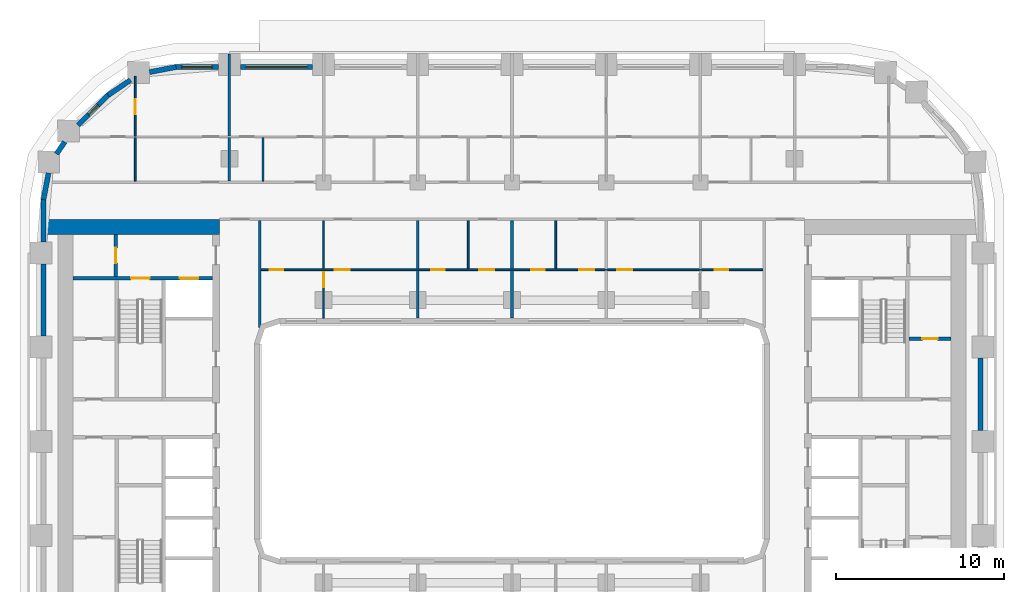
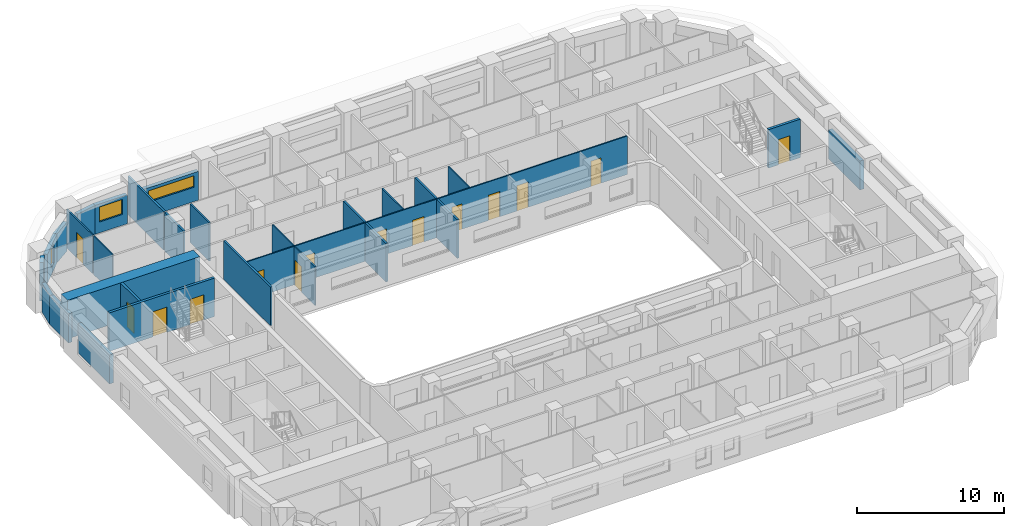
# One storey, part 7 of 21: 29 walls, 14 doors, 3 windows, 17 openings.
"""IFC4 building model written with IfcOpenShell, lengths in metres."""

import ifcopenshell
import ifcopenshell.guid

model = None  # the IFC model being written
_history = None  # IfcOwnerHistory: only IFC2X3 demands one
_inside = {}  # id of a spatial element -> (the spatial element, [elements in it])
_under = {}  # id of a project, library or spatial element -> (it, [spatial elements below it])
_declared = {}  # id of a project -> (the project, [libraries it declares])
_typed = {}  # id of a type object -> (the type object, [elements of that type])
_made_of = {}  # id of a material, layer set ... -> (it, [elements and type objects made of it])


def new_model(schema):
    """Start an empty IFC model of exactly this schema.

    Asked for "IFC4X3", IfcOpenShell would pick the latest addendum, in which some entities
    have other attributes; the version numbers below select the first issue.
    IFC2X3 requires an IfcOwnerHistory on every rooted entity: one is made here for all.
    """
    global model, _history
    if schema == "IFC4X3":
        model = ifcopenshell.file(schema_version=(4, 3, 0, 0))
    else:
        model = ifcopenshell.file(schema=schema)
    _inside.clear()
    _under.clear()
    _declared.clear()
    _typed.clear()
    _made_of.clear()
    _history = None
    if model.schema == "IFC2X3":
        org = make("IfcOrganization", Name="unknown")
        user = make(
            "IfcPersonAndOrganization",
            ThePerson=make("IfcPerson", FamilyName="unknown"),
            TheOrganization=org,
        )
        app = make(
            "IfcApplication",
            ApplicationDeveloper=org,
            Version="unknown",
            ApplicationFullName="unknown",
            ApplicationIdentifier="unknown",
        )
        _history = make(
            "IfcOwnerHistory",
            OwningUser=user,
            OwningApplication=app,
            ChangeAction="ADDED",
            CreationDate=0,
        )
    return model


def make(cls, **values):
    """One entity of the class cls with the attributes given. An attribute that is None is left unset."""
    return model.create_entity(
        cls, **{name: value for name, value in values.items() if value is not None}
    )


def rooted(cls, **values):
    """An entity with a GlobalId (a new one), such as an element, a storey or a relation."""
    return make(cls, GlobalId=ifcopenshell.guid.new(), OwnerHistory=_history, **values)


def si_unit(unit_type, name, prefix=None):
    """IfcSIUnit, for example si_unit("LENGTHUNIT", "METRE", prefix="MILLI")."""
    return make("IfcSIUnit", UnitType=unit_type, Prefix=prefix, Name=name)


def assignment(units):
    """IfcUnitAssignment: the units of a project."""
    return None if units is None else make("IfcUnitAssignment", Units=units)


def point(xyz):
    """IfcCartesianPoint."""
    return None if xyz is None else make("IfcCartesianPoint", Coordinates=xyz)


def direction(xyz):
    """IfcDirection."""
    return None if xyz is None else make("IfcDirection", DirectionRatios=xyz)


def frame(location, z_axis=None, x_axis=None):
    """IfcAxis2Placement3D, a coordinate frame: its origin and axes. An axis left out is left unset."""
    return make(
        "IfcAxis2Placement3D",
        Location=point(location),
        Axis=direction(z_axis),
        RefDirection=direction(x_axis),
    )


def frame_2d(location, x_axis=None):
    """IfcAxis2Placement2D, a coordinate frame in the plane: its origin and x axis."""
    return make(
        "IfcAxis2Placement2D", Location=point(location), RefDirection=direction(x_axis)
    )


def origin():
    """The frame at (0, 0, 0) with its axes left unset."""
    return frame((0.0, 0.0, 0.0))


def place(relative_to, where):
    """IfcLocalPlacement: puts the frame where relative to a parent placement (None: the world)."""
    return make(
        "IfcLocalPlacement", PlacementRelTo=relative_to, RelativePlacement=where
    )


def context(
    kind, dimensions, precision=None, world=None, true_north=None, identifier=None
):
    """IfcGeometricRepresentationContext, for example the 3D "Model" context."""
    return make(
        "IfcGeometricRepresentationContext",
        ContextIdentifier=identifier,
        ContextType=kind,
        CoordinateSpaceDimension=dimensions,
        Precision=precision,
        WorldCoordinateSystem=world,
        TrueNorth=true_north,
    )


def subcontext(parent, identifier, kind, view, scale=None):
    """IfcGeometricRepresentationSubContext, for example "Body" below "Model"."""
    return make(
        "IfcGeometricRepresentationSubContext",
        ContextIdentifier=identifier,
        ContextType=kind,
        ParentContext=parent,
        TargetScale=scale,
        TargetView=view,
    )


def project(units=None, contexts=None):
    """IfcProject with its units and contexts."""
    return rooted(
        "IfcProject",
        Name="project",
        RepresentationContexts=contexts,
        UnitsInContext=assignment(units),
    )


def spatial(cls, under=None, at=None, **own):
    """A site, building, storey or space (cls), placed at a placement, below another one or the project."""
    s = rooted(cls, ObjectPlacement=at, **own)
    if under is not None:
        _under.setdefault(under.id(), (under, []))[1].append(s)
    return s


def profile(cls, at=None, kind="AREA", **sizes):
    """A parametric profile (cls). Its sizes go by their IFC names, for example OverallWidth=200.0."""
    return make(cls, ProfileType=kind, Position=at, **sizes)


def rectangle(**sizes):
    """IfcRectangleProfileDef."""
    return profile("IfcRectangleProfileDef", **sizes)


def extrude(swept, where, along, depth):
    """IfcExtrudedAreaSolid: the profile swept, set in the frame where, extruded along a direction by depth."""
    return make(
        "IfcExtrudedAreaSolid",
        SweptArea=swept,
        Position=where,
        ExtrudedDirection=direction(along),
        Depth=depth,
    )


def shape(context_of_items, identifier, shape_type, items):
    """IfcShapeRepresentation: the items that make up one representation, for example the "Body"."""
    return make(
        "IfcShapeRepresentation",
        ContextOfItems=context_of_items,
        RepresentationIdentifier=identifier,
        RepresentationType=shape_type,
        Items=items,
    )


def material(Name=None, Category=None):
    """IfcMaterial."""
    return make("IfcMaterial", Name=Name, Category=Category)


def layer(
    of_material, thickness, ventilated=None, Name=None, Category=None, Priority=None
):
    """IfcMaterialLayer: one layer of a wall or slab, of a material (None: an air gap)."""
    return make(
        "IfcMaterialLayer",
        Material=of_material,
        LayerThickness=thickness,
        IsVentilated=ventilated,
        Name=Name,
        Category=Category,
        Priority=Priority,
    )


def layer_set(layers, Name=None):
    """IfcMaterialLayerSet."""
    return make("IfcMaterialLayerSet", MaterialLayers=layers, LayerSetName=Name)


def made_of(thing, what):
    """Note that an element or type object is made of a material, layer set ...; save() writes the relation."""
    if what is not None:
        _made_of.setdefault(what.id(), (what, []))[1].append(thing)
    return thing


def type_object(cls, material=None, **own):
    """A type object (cls), such as IfcWallType, which elements share."""
    return made_of(rooted(cls, **own), material)


def element(
    cls,
    number,
    at=None,
    inside=None,
    cuts=None,
    type_object=None,
    material=None,
    context=None,
    identifier="Body",
    shape_type=None,
    held_by="IfcProductDefinitionShape",
    body=None,
    shapes=None,
    **own,
):
    """One element of the class cls, such as IfcWall. Its Tag is "e" and its number.

    at: its placement. inside: the storey or other place that contains it. cuts: it is an
    opening in that element (IfcRelVoidsElement). A single representation is given by context,
    identifier, shape_type and body (its items); several are given by shapes. held_by: the class
    of the entity that holds the representations. save() writes the other relations.
    """
    e = rooted(cls, Tag="e%d" % number, ObjectPlacement=at, **own)
    if body is not None:
        shapes = [shape(context, identifier, shape_type, body)]
    if shapes is not None:
        e.Representation = make(held_by, Representations=shapes)
    if inside is not None:
        _inside.setdefault(inside.id(), (inside, []))[1].append(e)
    if cuts is not None:
        rooted(
            "IfcRelVoidsElement", RelatingBuildingElement=cuts, RelatedOpeningElement=e
        )
    if type_object is not None:
        _typed.setdefault(type_object.id(), (type_object, []))[1].append(e)
    return made_of(e, material)


def fill(opening, filler):
    """IfcRelFillsElement: the door or window that sits in an opening."""
    return rooted(
        "IfcRelFillsElement",
        RelatingOpeningElement=opening,
        RelatedBuildingElement=filler,
    )


def aggregate(whole, parts):
    """IfcRelAggregates: a whole, such as a stair, and the parts it consists of."""
    return rooted("IfcRelAggregates", RelatingObject=whole, RelatedObjects=parts)


def save(model, path):
    """Write the relations noted so far, then the file.

    IfcRelAggregates (storeys below a building ...), IfcRelContainedInSpatialStructure (elements
    in a storey), IfcRelDefinesByType, IfcRelAssociatesMaterial and IfcRelDeclares: one each for
    every whole, place, type object, material and project.
    """
    for whole, parts in _under.values():
        aggregate(whole, parts)
    for where, things in _inside.values():
        rooted(
            "IfcRelContainedInSpatialStructure",
            RelatedElements=things,
            RelatingStructure=where,
        )
    for kind, things in _typed.values():
        rooted("IfcRelDefinesByType", RelatedObjects=things, RelatingType=kind)
    for what, things in _made_of.values():
        rooted("IfcRelAssociatesMaterial", RelatedObjects=things, RelatingMaterial=what)
    for by, libraries in _declared.values():
        rooted("IfcRelDeclares", RelatingContext=by, RelatedDefinitions=libraries)
    model.write(path)


model = new_model("IFC4")

# Units and contexts
model_context = context("Model", 3, precision=1e-05, world=origin(), true_north=direction((0.0, 1.0)))
body_context = subcontext(model_context, "Body", "Model", "MODEL_VIEW")
ifc_project = project(units=[si_unit("LENGTHUNIT", "METRE"), si_unit("AREAUNIT", "SQUARE_METRE"), si_unit("VOLUMEUNIT", "CUBIC_METRE"), si_unit("PLANEANGLEUNIT", "RADIAN"), si_unit("MASSUNIT", "GRAM", prefix="KILO")], contexts=[model_context])

# Site, building, storey
site_placement = place(None, origin())
site = spatial("IfcSite", under=ifc_project, at=site_placement, CompositionType="ELEMENT")
building_placement = place(site_placement, origin())
building = spatial("IfcBuilding", under=site, at=building_placement, Name="Kiln Ring Residences", CompositionType="ELEMENT")
storey_placement = place(building_placement, frame((0.0, 0.0, 93.800048828125)))
storey = spatial("IfcBuildingStorey", under=building, at=storey_placement, Name="L23", CompositionType="ELEMENT", Elevation=93.800048828125)

# Wall, opening, door
ifc_material_1 = material(Name="Gypsum board on steel studs", Category="steel")
ifc_layer_1 = layer(ifc_material_1, 0.199951171875)
ifc_layer_set_1 = layer_set([ifc_layer_1], Name="CORE-PARTITION-200")
wall_type_1 = type_object("IfcWallType", Name="CORE-PARTITION-200", PredefinedType="PARTITIONING", material=ifc_layer_set_1)
wall_1_placement = place(storey_placement, frame((-23.550048828125, 9.800048828125, 0.0), z_axis=(0.0, 0.0, 1.0), x_axis=(0.0, 1.0, 0.0)))
wall_1 = element("IfcWall", 1, at=wall_1_placement, inside=storey, type_object=wall_type_1, Name="Core partition west L23 3", PredefinedType="PARTITIONING", context=body_context, shape_type="SweptSolid", body=[
    extrude(rectangle(XDim=2.5, YDim=0.199951171875, at=frame_2d((1.25, 0.0))), origin(), (0.0, 0.0, 1.0), 3.199951171875),
])
opening_1_placement = place(wall_1_placement, frame((0.800048828125, 0.0, 0.0)))
opening_1 = element("IfcOpeningElement", 2, at=opening_1_placement, cuts=wall_1, Name="Opening L23-CW09", PredefinedType="OPENING", context=body_context, shape_type="SweptSolid", body=[
    extrude(rectangle(XDim=0.89990234375, YDim=2.10009765625, at=frame_2d((0.449951171875, 1.050048828125))), frame((0.0, 0.10986328125, 0.0), z_axis=(0.0, -1.0, 0.0), x_axis=(1.0, 0.0, 0.0)), (0.0, 0.0, 1.0), 0.219970703125),
])
ifc_material_2 = material(Name="Steel door leaf", Category="steel")
door_type_1 = type_object("IfcDoorType", Name="CORE-DOOR-ROOM", OperationType="SINGLE_SWING_LEFT", PredefinedType="DOOR", material=ifc_material_2)
door_1_placement = place(opening_1_placement, origin())
door_1 = element("IfcDoor", 3, at=door_1_placement, inside=storey, type_object=door_type_1, Name="Fire riser room L23-CW09", OperationType="SINGLE_SWING_LEFT", OverallHeight=2.10009765625, OverallWidth=0.89990234375, PredefinedType="DOOR", context=body_context, shape_type="SweptSolid", body=[
    extrude(rectangle(XDim=0.89990234375, YDim=2.10009765625, at=frame_2d((0.449951171875, 1.050048828125))), frame((0.0, 0.02490234375, 0.0), z_axis=(0.0, -1.0, 0.0), x_axis=(1.0, 0.0, 0.0)), (0.0, 0.0, 1.0), 0.050048828125),
])
fill(opening_1, door_1)

wall_2_placement = place(storey_placement, frame((23.60009765625, 6.10009765625, 0.0), z_axis=(0.0, 0.0, 1.0), x_axis=(1.0, 0.0, 0.0)))
wall_2 = element("IfcWall", 4, at=wall_2_placement, inside=storey, type_object=wall_type_1, Name="Core partition east L23 6", PredefinedType="PARTITIONING", context=body_context, shape_type="SweptSolid", body=[
    extrude(rectangle(XDim=2.5, YDim=0.199951171875, at=frame_2d((1.25, 0.0))), origin(), (0.0, 0.0, 1.0), 3.199951171875),
])
opening_2_placement = place(wall_2_placement, frame((0.800048828125, 0.0, 0.0)))
opening_2 = element("IfcOpeningElement", 5, at=opening_2_placement, cuts=wall_2, Name="Opening L23-CE17", PredefinedType="OPENING", context=body_context, shape_type="SweptSolid", body=[
    extrude(rectangle(XDim=0.89990234375, YDim=2.10009765625, at=frame_2d((0.449951171875, 1.050048828125))), frame((0.0, 0.10986328125, 0.0), z_axis=(0.0, -1.0, 0.0), x_axis=(1.0, 0.0, 0.0)), (0.0, 0.0, 1.0), 0.219970703125),
])
door_2_placement = place(opening_2_placement, origin())
door_2 = element("IfcDoor", 6, at=door_2_placement, inside=storey, type_object=door_type_1, Name="Electrical plant room L23-CE17", OperationType="SINGLE_SWING_LEFT", OverallHeight=2.10009765625, OverallWidth=0.89990234375, PredefinedType="DOOR", context=body_context, shape_type="SweptSolid", body=[
    extrude(rectangle(XDim=0.89990234375, YDim=2.10009765625, at=frame_2d((0.449951171875, 1.050048828125))), frame((0.0, 0.02490234375, 0.0), z_axis=(0.0, -1.0, 0.0), x_axis=(1.0, 0.0, 0.0)), (0.0, 0.0, 1.0), 0.050048828125),
])
fill(opening_2, door_2)

# Wall, openings, doors
ifc_material_3 = material(Name="Concrete C40/50", Category="concrete")
ifc_layer_2 = layer(ifc_material_3, 0.199951171875)
ifc_layer_set_2 = layer_set([ifc_layer_2], Name="CORE-WALL-RC200")
wall_type_2 = type_object("IfcWallType", Name="CORE-WALL-RC200", PredefinedType="SHEAR", material=ifc_layer_set_2)
wall_3_placement = place(storey_placement, frame((-17.800048828125, 9.699951171875, 0.0), z_axis=(0.0, 0.0, 1.0), x_axis=(-1.0, 0.0, 0.0)))
wall_3 = element("IfcWall", 7, at=wall_3_placement, inside=storey, type_object=wall_type_2, Name="Core wall west L23 9", PredefinedType="SHEAR", context=body_context, shape_type="SweptSolid", body=[
    extrude(rectangle(XDim=8.300048828125, YDim=0.199951171875, at=frame_2d((4.14990234375, 0.0))), origin(), (0.0, 0.0, 1.0), 3.199951171875),
])
opening_3_placement = place(wall_3_placement, frame((0.85009765625, 0.0, 0.0)))
opening_3 = element("IfcOpeningElement", 8, at=opening_3_placement, cuts=wall_3, Name="Opening L23-CW06", PredefinedType="OPENING", context=body_context, shape_type="SweptSolid", body=[
    extrude(rectangle(XDim=1.10009765625, YDim=2.10009765625, at=frame_2d((0.550048828125, 1.050048828125))), frame((0.0, 0.10986328125, 0.0), z_axis=(0.0, -1.0, 0.0), x_axis=(1.0, 0.0, 0.0)), (0.0, 0.0, 1.0), 0.219970703125),
])
opening_4_placement = place(wall_3_placement, frame((3.75, 0.0, 0.0)))
opening_4 = element("IfcOpeningElement", 9, at=opening_4_placement, cuts=wall_3, Name="Opening L23-CW11", PredefinedType="OPENING", context=body_context, shape_type="SweptSolid", body=[
    extrude(rectangle(XDim=1.10009765625, YDim=2.10009765625, at=frame_2d((0.550048828125, 1.050048828125))), frame((0.0, 0.10986328125, 0.0), z_axis=(0.0, -1.0, 0.0), x_axis=(1.0, 0.0, 0.0)), (0.0, 0.0, 1.0), 0.219970703125),
])
ifc_material_4 = material(Name="Steel door leaf", Category="steel")
door_type_2 = type_object("IfcDoorType", Name="CORE-DOOR-LD", OperationType="DOUBLE_DOOR_SLIDING", PredefinedType="DOOR", material=ifc_material_4)
door_3_placement = place(opening_3_placement, origin())
door_3 = element("IfcDoor", 10, at=door_3_placement, inside=storey, type_object=door_type_2, Name="LD W-FF L23-CW06", OperationType="DOUBLE_DOOR_SLIDING", OverallHeight=2.10009765625, OverallWidth=1.10009765625, PredefinedType="DOOR", context=body_context, shape_type="SweptSolid", body=[
    extrude(rectangle(XDim=1.10009765625, YDim=2.10009765625, at=frame_2d((0.550048828125, 1.050048828125))), frame((0.0, 0.02490234375, 0.0), z_axis=(0.0, -1.0, 0.0), x_axis=(1.0, 0.0, 0.0)), (0.0, 0.0, 1.0), 0.050048828125),
])
fill(opening_3, door_3)
ifc_material_5 = material(Name="Steel door leaf", Category="steel")
door_type_3 = type_object("IfcDoorType", Name="CORE-DOOR-STAIR", OperationType="SINGLE_SWING_LEFT", PredefinedType="DOOR", material=ifc_material_5)
door_4_placement = place(opening_4_placement, origin())
door_4 = element("IfcDoor", 11, at=door_4_placement, inside=storey, type_object=door_type_3, Name="Stair W-STN L23-CW11", OperationType="SINGLE_SWING_LEFT", OverallHeight=2.10009765625, OverallWidth=1.10009765625, PredefinedType="DOOR", context=body_context, shape_type="SweptSolid", body=[
    extrude(rectangle(XDim=1.10009765625, YDim=2.10009765625, at=frame_2d((0.550048828125, 1.050048828125))), frame((0.0, 0.02490234375, 0.0), z_axis=(0.0, -1.0, 0.0), x_axis=(1.0, 0.0, 0.0)), (0.0, 0.0, 1.0), 0.050048828125),
])
fill(opening_4, door_4)

# Walls
ifc_material_6 = material(Name="Concrete C60/75", Category="concrete")
ifc_layer_3 = layer(ifc_material_6, 0.89990234375)
ifc_layer_set_3 = layer_set([ifc_layer_3], Name="CORE-WALL-RC900")
wall_type_3 = type_object("IfcWallType", Name="CORE-WALL-RC900", PredefinedType="SHEAR", material=ifc_layer_set_3)
wall_4_placement = place(storey_placement, frame((-17.39990234375, 12.75, 0.0), z_axis=(0.0, 0.0, 1.0), x_axis=(-1.0, 0.0, 0.0)))
element("IfcWall", 12, at=wall_4_placement, inside=storey, type_object=wall_type_3, Name="Core wall west L23 4", PredefinedType="SHEAR", context=body_context, shape_type="SweptSolid", body=[
    extrude(rectangle(XDim=10.400146484375, YDim=0.89990234375, at=frame_2d((5.2001953125, 0.0))), origin(), (0.0, 0.0, 1.0), 3.199951171875),
])
ifc_material_7 = material(Name="Brick masonry, dark clay brick", Category="masonry")
ifc_layer_4 = layer(ifc_material_7, 0.300048828125)
ifc_layer_set_4 = layer_set([ifc_layer_4], Name="EW-300 BRICK WALL")
wall_type_4 = type_object("IfcWallType", Name="EW-300 BRICK WALL", PredefinedType="SOLIDWALL", material=ifc_layer_set_4)
wall_5_placement = place(storey_placement, frame((27.85009765625, 0.64990234375, 0.0), z_axis=(0.0, 0.0, 1.0), x_axis=(0.0, 1.0, 0.0)))
element("IfcWall", 13, at=wall_5_placement, inside=storey, type_object=wall_type_4, Name="Facade wall L23 20", PredefinedType="SOLIDWALL", context=body_context, shape_type="SweptSolid", body=[
    extrude(rectangle(XDim=4.300048828125, YDim=0.300048828125, at=frame_2d((2.14990234375, 0.0))), origin(), (0.0, 0.0, 1.0), 2.39990234375),
])

# Wall, opening, window
wall_6_placement = place(storey_placement, frame((-11.85009765625, 22.25, 0.0), z_axis=(0.0, 0.0, 1.0), x_axis=(-1.0, 0.0, 0.0)))
wall_6 = element("IfcWall", 14, at=wall_6_placement, inside=storey, type_object=wall_type_4, Name="Facade wall L23 34", PredefinedType="SOLIDWALL", context=body_context, shape_type="SweptSolid", body=[
    extrude(rectangle(XDim=4.2998046875, YDim=0.300048828125, at=frame_2d((2.14990234375, 0.0))), origin(), (0.0, 0.0, 1.0), 2.39990234375),
])
opening_5_placement = place(wall_6_placement, frame((0.35009765625, 0.0, 1.199951171875)))
opening_5 = element("IfcOpeningElement", 15, at=opening_5_placement, cuts=wall_6, Name="Opening W4", PredefinedType="OPENING", context=body_context, shape_type="SweptSolid", body=[
    extrude(rectangle(XDim=3.60009765625, YDim=0.949951171875, at=frame_2d((1.800048828125, 0.47509765625))), frame((0.0, 0.159912109375, 0.0), z_axis=(0.0, -1.0, 0.0), x_axis=(1.0, 0.0, 0.0)), (0.0, 0.0, 1.0), 0.320068359375),
])
ifc_material_8 = material(Name="Aluminium frame with double glazing", Category="aluminium")
window_type_1 = type_object("IfcWindowType", Name="WINDOW 3600 x 950", PartitioningType="SINGLE_PANEL", PredefinedType="WINDOW", material=ifc_material_8)
window_1_placement = place(opening_5_placement, origin())
window_1 = element("IfcWindow", 16, at=window_1_placement, inside=storey, type_object=window_type_1, Name="Window L23 19", OverallHeight=0.949951171875, OverallWidth=3.60009765625, PartitioningType="SINGLE_PANEL", PredefinedType="WINDOW", context=body_context, shape_type="SweptSolid", body=[
    extrude(rectangle(XDim=3.60009765625, YDim=0.949951171875, at=frame_2d((1.800048828125, 0.47509765625))), frame((0.0, 0.030029296875, 0.0), z_axis=(0.0, -1.0, 0.0), x_axis=(1.0, 0.0, 0.0)), (0.0, 0.0, 1.0), 0.06005859375),
])
fill(opening_5, window_1)

wall_7_placement = place(storey_placement, frame((-17.449951171875, 22.25, 0.0), z_axis=(0.0, 0.0, 1.0), x_axis=(-1.0, 0.0, 0.0)))
wall_7 = element("IfcWall", 17, at=wall_7_placement, inside=storey, type_object=wall_type_4, Name="Facade wall L23 35", PredefinedType="SOLIDWALL", context=body_context, shape_type="SweptSolid", body=[
    extrude(rectangle(XDim=2.550048828125, YDim=0.300048828125, at=frame_2d((1.27490234375, 0.0))), origin(), (0.0, 0.0, 1.0), 2.39990234375),
])
opening_6_placement = place(wall_7_placement, frame((0.375, 0.0, 0.89990234375)))
opening_6 = element("IfcOpeningElement", 18, at=opening_6_placement, cuts=wall_7, Name="Opening W2", PredefinedType="OPENING", context=body_context, shape_type="SweptSolid", body=[
    extrude(rectangle(XDim=1.800048828125, YDim=1.25, at=frame_2d((0.89990234375, 0.625))), frame((0.0, 0.159912109375, 0.0), z_axis=(0.0, -1.0, 0.0), x_axis=(1.0, 0.0, 0.0)), (0.0, 0.0, 1.0), 0.320068359375),
])
ifc_material_9 = material(Name="Aluminium frame with double glazing", Category="aluminium")
window_type_2 = type_object("IfcWindowType", Name="WINDOW 1800 x 1250", PartitioningType="SINGLE_PANEL", PredefinedType="WINDOW", material=ifc_material_9)
window_2_placement = place(opening_6_placement, origin())
window_2 = element("IfcWindow", 19, at=window_2_placement, inside=storey, type_object=window_type_2, Name="Window L23 20", OverallHeight=1.25, OverallWidth=1.800048828125, PartitioningType="SINGLE_PANEL", PredefinedType="WINDOW", context=body_context, shape_type="SweptSolid", body=[
    extrude(rectangle(XDim=1.800048828125, YDim=1.25, at=frame_2d((0.89990234375, 0.625))), frame((0.0, 0.030029296875, 0.0), z_axis=(0.0, -1.0, 0.0), x_axis=(1.0, 0.0, 0.0)), (0.0, 0.0, 1.0), 0.06005859375),
])
fill(opening_6, window_2)

# Walls
for number, where, z_axis, x_axis, name in (
    (20, (-19.971923828125, 22.252685546875, 0.0), (0.0, 0.0, 1.0), (-0.982278644094, -0.187426426519, 0.0), "Facade wall L23 36"),
    (21, (-22.684326171875, 21.481689453125, 0.0), (0.0, 0.0, 1.0), (-0.82705935865, -0.562114594429, 0.0), "Facade wall L23 37"),
):
    element("IfcWall", number, at=place(storey_placement, frame(where, z_axis=z_axis, x_axis=x_axis)), inside=storey, type_object=wall_type_4, Name=name, PredefinedType="SOLIDWALL", context=body_context, shape_type="SweptSolid", body=[
        extrude(rectangle(XDim=1.606201171875, YDim=0.300048828125, at=frame_2d((0.80322265625, 0.0))), origin(), (0.0, 0.0, 1.0), 2.39990234375),
    ])

# Wall, opening, window
wall_8_placement = place(storey_placement, frame((-23.990966796875, 20.596923828125, 0.0), z_axis=(0.0, 0.0, 1.0), x_axis=(-0.707106781187, -0.707106781187, 0.0)))
wall_8 = element("IfcWall", 22, at=wall_8_placement, inside=storey, type_object=wall_type_4, Name="Facade wall L23 38", PredefinedType="SOLIDWALL", context=body_context, shape_type="SweptSolid", body=[
    extrude(rectangle(XDim=2.550048828125, YDim=0.300048828125, at=frame_2d((1.27490234375, 0.0))), origin(), (0.0, 0.0, 1.0), 2.39990234375),
])
opening_7_placement = place(wall_8_placement, frame((0.875, 0.0, 0.60009765625)))
opening_7 = element("IfcOpeningElement", 23, at=opening_7_placement, cuts=wall_8, Name="Opening W5", PredefinedType="OPENING", context=body_context, shape_type="SweptSolid", body=[
    extrude(rectangle(XDim=0.800048828125, YDim=1.550048828125, at=frame_2d((0.39990234375, 0.77490234375))), frame((0.0, 0.159912109375, 0.0), z_axis=(0.0, -1.0, 0.0), x_axis=(1.0, 0.0, 0.0)), (0.0, 0.0, 1.0), 0.320068359375),
])
ifc_material_10 = material(Name="Aluminium frame with double glazing", Category="aluminium")
window_type_3 = type_object("IfcWindowType", Name="WINDOW 800 x 1550", PartitioningType="SINGLE_PANEL", PredefinedType="WINDOW", material=ifc_material_10)
window_3_placement = place(opening_7_placement, origin())
window_3 = element("IfcWindow", 24, at=window_3_placement, inside=storey, type_object=window_type_3, Name="Window L23 21", OverallHeight=1.550048828125, OverallWidth=0.800048828125, PartitioningType="SINGLE_PANEL", PredefinedType="WINDOW", context=body_context, shape_type="SweptSolid", body=[
    extrude(rectangle(XDim=0.800048828125, YDim=1.550048828125, at=frame_2d((0.39990234375, 0.77490234375))), frame((0.0, 0.030029296875, 0.0), z_axis=(0.0, -1.0, 0.0), x_axis=(1.0, 0.0, 0.0)), (0.0, 0.0, 1.0), 0.06005859375),
])
fill(opening_7, window_3)

# Walls
wall_9_placement = place(storey_placement, frame((-26.588623046875, 17.809814453125, 0.0), z_axis=(0.0, 0.0, 1.0), x_axis=(-0.562066330934, -0.827092159091, 0.0)))
element("IfcWall", 25, at=wall_9_placement, inside=storey, type_object=wall_type_4, Name="Facade wall L23 39", PredefinedType="SOLIDWALL", context=body_context, shape_type="SweptSolid", body=[
    extrude(rectangle(XDim=0.876953125, YDim=0.300048828125, at=frame_2d((0.4384765625, 0.0))), origin(), (0.0, 0.0, 1.0), 3.199951171875),
])
wall_10_placement = place(storey_placement, frame((-27.5517578125, 15.949462890625, 0.0), z_axis=(0.0, 0.0, 1.0), x_axis=(-0.187279751651, -0.982306619453, 0.0)))
element("IfcWall", 26, at=wall_10_placement, inside=storey, type_object=wall_type_4, Name="Facade wall L23 40", PredefinedType="SOLIDWALL", context=body_context, shape_type="SweptSolid", body=[
    extrude(rectangle(XDim=1.60595703125, YDim=0.300048828125, at=frame_2d((0.802978515625, 0.0))), origin(), (0.0, 0.0, 1.0), 2.39990234375),
])
wall_11_placement = place(storey_placement, frame((-27.85009765625, 14.39990234375, 0.0), z_axis=(0.0, 0.0, 1.0), x_axis=(0.0, -1.0, 0.0)))
element("IfcWall", 27, at=wall_11_placement, inside=storey, type_object=wall_type_4, Name="Facade wall L23 41", PredefinedType="SOLIDWALL", context=body_context, shape_type="SweptSolid", body=[
    extrude(rectangle(XDim=2.5498046875, YDim=0.300048828125, at=frame_2d((1.27490234375, 0.0))), origin(), (0.0, 0.0, 1.0), 2.39990234375),
])
wall_12_placement = place(storey_placement, frame((-27.85009765625, 10.550048828125, 0.0), z_axis=(0.0, 0.0, 1.0), x_axis=(0.0, -1.0, 0.0)))
element("IfcWall", 28, at=wall_12_placement, inside=storey, type_object=wall_type_4, Name="Facade wall L23 42", PredefinedType="SOLIDWALL", context=body_context, shape_type="SweptSolid", body=[
    extrude(rectangle(XDim=4.300048828125, YDim=0.300048828125, at=frame_2d((2.14990234375, 0.0))), origin(), (0.0, 0.0, 1.0), 2.39990234375),
])

# Wall, openings, doors
ifc_material_11 = material(Name="Gypsum board on steel studs", Category="steel")
ifc_layer_5 = layer(ifc_material_11, 0.10009765625)
ifc_layer_set_5 = layer_set([ifc_layer_5], Name="PARTITION-100")
wall_type_5 = type_object("IfcWallType", Name="PARTITION-100", PredefinedType="PARTITIONING", material=ifc_layer_set_5)
wall_13_placement = place(storey_placement, frame((-14.925048828125, 10.199951171875, 0.0), z_axis=(0.0, 0.0, 1.0), x_axis=(1.0, 0.0, 0.0)))
wall_13 = element("IfcWall", 29, at=wall_13_placement, inside=storey, type_object=wall_type_5, Name="Partition 004", PredefinedType="PARTITIONING", context=body_context, shape_type="SweptSolid", body=[
    extrude(rectangle(XDim=29.85009765625, YDim=0.10009765625, at=frame_2d((14.925048828125, 0.0))), origin(), (0.0, 0.0, 1.0), 3.199951171875),
])
opening_8_placement = place(wall_13_placement, frame((0.52490234375, 0.0, 0.0)))
opening_8 = element("IfcOpeningElement", 30, at=opening_8_placement, cuts=wall_13, Name="Opening L23-D006", PredefinedType="OPENING", context=body_context, shape_type="SweptSolid", body=[
    extrude(rectangle(XDim=0.800048828125, YDim=2.10009765625, at=frame_2d((0.39990234375, 1.050048828125))), frame((0.0, 0.06005859375, 0.0), z_axis=(0.0, -1.0, 0.0), x_axis=(1.0, 0.0, 0.0)), (0.0, 0.0, 1.0), 0.1201171875),
])
opening_9_placement = place(wall_13_placement, frame((4.375, 0.0, 0.0)))
opening_9 = element("IfcOpeningElement", 31, at=opening_9_placement, cuts=wall_13, Name="Opening L23-D007", PredefinedType="OPENING", context=body_context, shape_type="SweptSolid", body=[
    extrude(rectangle(XDim=0.89990234375, YDim=2.10009765625, at=frame_2d((0.449951171875, 1.050048828125))), frame((0.0, 0.06005859375, 0.0), z_axis=(0.0, -1.0, 0.0), x_axis=(1.0, 0.0, 0.0)), (0.0, 0.0, 1.0), 0.1201171875),
])
opening_10_placement = place(wall_13_placement, frame((10.125, 0.0, 0.0)))
opening_10 = element("IfcOpeningElement", 32, at=opening_10_placement, cuts=wall_13, Name="Opening L23-D010", PredefinedType="OPENING", context=body_context, shape_type="SweptSolid", body=[
    extrude(rectangle(XDim=0.800048828125, YDim=2.10009765625, at=frame_2d((0.39990234375, 1.050048828125))), frame((0.0, 0.06005859375, 0.0), z_axis=(0.0, -1.0, 0.0), x_axis=(1.0, 0.0, 0.0)), (0.0, 0.0, 1.0), 0.1201171875),
])
opening_11_placement = place(wall_13_placement, frame((12.97509765625, 0.0, 0.0)))
opening_11 = element("IfcOpeningElement", 33, at=opening_11_placement, cuts=wall_13, Name="Opening L23-D011", PredefinedType="OPENING", context=body_context, shape_type="SweptSolid", body=[
    extrude(rectangle(XDim=0.89990234375, YDim=2.10009765625, at=frame_2d((0.449951171875, 1.050048828125))), frame((0.0, 0.06005859375, 0.0), z_axis=(0.0, -1.0, 0.0), x_axis=(1.0, 0.0, 0.0)), (0.0, 0.0, 1.0), 0.1201171875),
])
opening_12_placement = place(wall_13_placement, frame((16.074951171875, 0.0, 0.0)))
opening_12 = element("IfcOpeningElement", 34, at=opening_12_placement, cuts=wall_13, Name="Opening L23-D013", PredefinedType="OPENING", context=body_context, shape_type="SweptSolid", body=[
    extrude(rectangle(XDim=0.800048828125, YDim=2.10009765625, at=frame_2d((0.39990234375, 1.050048828125))), frame((0.0, 0.06005859375, 0.0), z_axis=(0.0, -1.0, 0.0), x_axis=(1.0, 0.0, 0.0)), (0.0, 0.0, 1.0), 0.1201171875),
])
opening_13_placement = place(wall_13_placement, frame((18.925048828125, 0.0, 0.0)))
opening_13 = element("IfcOpeningElement", 35, at=opening_13_placement, cuts=wall_13, Name="Opening L23-D014", PredefinedType="OPENING", context=body_context, shape_type="SweptSolid", body=[
    extrude(rectangle(XDim=0.89990234375, YDim=2.10009765625, at=frame_2d((0.449951171875, 1.050048828125))), frame((0.0, 0.06005859375, 0.0), z_axis=(0.0, -1.0, 0.0), x_axis=(1.0, 0.0, 0.0)), (0.0, 0.0, 1.0), 0.1201171875),
])
opening_14_placement = place(wall_13_placement, frame((26.97509765625, 0.0, 0.0)))
opening_14 = element("IfcOpeningElement", 36, at=opening_14_placement, cuts=wall_13, Name="Opening L23-D016", PredefinedType="OPENING", context=body_context, shape_type="SweptSolid", body=[
    extrude(rectangle(XDim=0.800048828125, YDim=2.10009765625, at=frame_2d((0.39990234375, 1.050048828125))), frame((0.0, 0.06005859375, 0.0), z_axis=(0.0, -1.0, 0.0), x_axis=(1.0, 0.0, 0.0)), (0.0, 0.0, 1.0), 0.1201171875),
])
opening_15_placement = place(wall_13_placement, frame((21.175048828125, 0.0, 0.0)))
opening_15 = element("IfcOpeningElement", 37, at=opening_15_placement, cuts=wall_13, Name="Opening L23-D017", PredefinedType="OPENING", context=body_context, shape_type="SweptSolid", body=[
    extrude(rectangle(XDim=0.89990234375, YDim=2.10009765625, at=frame_2d((0.449951171875, 1.050048828125))), frame((0.0, 0.06005859375, 0.0), z_axis=(0.0, -1.0, 0.0), x_axis=(1.0, 0.0, 0.0)), (0.0, 0.0, 1.0), 0.1201171875),
])
ifc_material_12 = material(Name="Timber door leaf", Category="wood")
door_type_4 = type_object("IfcDoorType", Name="FLAT-DOOR-800-PL", OperationType="SINGLE_SWING_LEFT", PredefinedType="DOOR", material=ifc_material_12)
door_5_placement = place(opening_8_placement, origin())
door_5 = element("IfcDoor", 38, at=door_5_placement, inside=storey, type_object=door_type_4, Name="Door L23-D006", OperationType="SINGLE_SWING_RIGHT", OverallHeight=2.10009765625, OverallWidth=0.800048828125, PredefinedType="DOOR", context=body_context, shape_type="SweptSolid", body=[
    extrude(rectangle(XDim=0.800048828125, YDim=2.10009765625, at=frame_2d((0.39990234375, 1.050048828125))), frame((0.0, 0.02490234375, 0.0), z_axis=(0.0, -1.0, 0.0), x_axis=(1.0, 0.0, 0.0)), (0.0, 0.0, 1.0), 0.050048828125),
])
fill(opening_8, door_5)
door_6_placement = place(opening_10_placement, origin())
door_6 = element("IfcDoor", 39, at=door_6_placement, inside=storey, type_object=door_type_4, Name="Door L23-D010", OperationType="SINGLE_SWING_RIGHT", OverallHeight=2.10009765625, OverallWidth=0.800048828125, PredefinedType="DOOR", context=body_context, shape_type="SweptSolid", body=[
    extrude(rectangle(XDim=0.800048828125, YDim=2.10009765625, at=frame_2d((0.39990234375, 1.050048828125))), frame((0.0, 0.02490234375, 0.0), z_axis=(0.0, -1.0, 0.0), x_axis=(1.0, 0.0, 0.0)), (0.0, 0.0, 1.0), 0.050048828125),
])
fill(opening_10, door_6)
door_7_placement = place(opening_12_placement, origin())
door_7 = element("IfcDoor", 40, at=door_7_placement, inside=storey, type_object=door_type_4, Name="Door L23-D013", OperationType="SINGLE_SWING_LEFT", OverallHeight=2.10009765625, OverallWidth=0.800048828125, PredefinedType="DOOR", context=body_context, shape_type="SweptSolid", body=[
    extrude(rectangle(XDim=0.800048828125, YDim=2.10009765625, at=frame_2d((0.39990234375, 1.050048828125))), frame((0.0, 0.02490234375, 0.0), z_axis=(0.0, -1.0, 0.0), x_axis=(1.0, 0.0, 0.0)), (0.0, 0.0, 1.0), 0.050048828125),
])
fill(opening_12, door_7)
door_8_placement = place(opening_14_placement, origin())
door_8 = element("IfcDoor", 41, at=door_8_placement, inside=storey, type_object=door_type_4, Name="Door L23-D016", OperationType="SINGLE_SWING_RIGHT", OverallHeight=2.10009765625, OverallWidth=0.800048828125, PredefinedType="DOOR", context=body_context, shape_type="SweptSolid", body=[
    extrude(rectangle(XDim=0.800048828125, YDim=2.10009765625, at=frame_2d((0.39990234375, 1.050048828125))), frame((0.0, 0.02490234375, 0.0), z_axis=(0.0, -1.0, 0.0), x_axis=(1.0, 0.0, 0.0)), (0.0, 0.0, 1.0), 0.050048828125),
])
fill(opening_14, door_8)
ifc_material_13 = material(Name="Timber door leaf", Category="wood")
door_type_5 = type_object("IfcDoorType", Name="FLAT-DOOR-900-PL", OperationType="SINGLE_SWING_LEFT", PredefinedType="DOOR", material=ifc_material_13)
door_9_placement = place(opening_9_placement, origin())
door_9 = element("IfcDoor", 42, at=door_9_placement, inside=storey, type_object=door_type_5, Name="Door L23-D007", OperationType="SINGLE_SWING_LEFT", OverallHeight=2.10009765625, OverallWidth=0.89990234375, PredefinedType="DOOR", context=body_context, shape_type="SweptSolid", body=[
    extrude(rectangle(XDim=0.89990234375, YDim=2.10009765625, at=frame_2d((0.449951171875, 1.050048828125))), frame((0.0, 0.02490234375, 0.0), z_axis=(0.0, -1.0, 0.0), x_axis=(1.0, 0.0, 0.0)), (0.0, 0.0, 1.0), 0.050048828125),
])
fill(opening_9, door_9)
door_10_placement = place(opening_11_placement, origin())
door_10 = element("IfcDoor", 43, at=door_10_placement, inside=storey, type_object=door_type_5, Name="Door L23-D011", OperationType="SINGLE_SWING_LEFT", OverallHeight=2.10009765625, OverallWidth=0.89990234375, PredefinedType="DOOR", context=body_context, shape_type="SweptSolid", body=[
    extrude(rectangle(XDim=0.89990234375, YDim=2.10009765625, at=frame_2d((0.449951171875, 1.050048828125))), frame((0.0, 0.02490234375, 0.0), z_axis=(0.0, -1.0, 0.0), x_axis=(1.0, 0.0, 0.0)), (0.0, 0.0, 1.0), 0.050048828125),
])
fill(opening_11, door_10)
door_11_placement = place(opening_13_placement, origin())
door_11 = element("IfcDoor", 44, at=door_11_placement, inside=storey, type_object=door_type_5, Name="Door L23-D014", OperationType="SINGLE_SWING_RIGHT", OverallHeight=2.10009765625, OverallWidth=0.89990234375, PredefinedType="DOOR", context=body_context, shape_type="SweptSolid", body=[
    extrude(rectangle(XDim=0.89990234375, YDim=2.10009765625, at=frame_2d((0.449951171875, 1.050048828125))), frame((0.0, 0.02490234375, 0.0), z_axis=(0.0, -1.0, 0.0), x_axis=(1.0, 0.0, 0.0)), (0.0, 0.0, 1.0), 0.050048828125),
])
fill(opening_13, door_11)
door_12_placement = place(opening_15_placement, origin())
door_12 = element("IfcDoor", 45, at=door_12_placement, inside=storey, type_object=door_type_5, Name="Door L23-D017", OperationType="SINGLE_SWING_LEFT", OverallHeight=2.10009765625, OverallWidth=0.89990234375, PredefinedType="DOOR", context=body_context, shape_type="SweptSolid", body=[
    extrude(rectangle(XDim=0.89990234375, YDim=2.10009765625, at=frame_2d((0.449951171875, 1.050048828125))), frame((0.0, 0.02490234375, 0.0), z_axis=(0.0, -1.0, 0.0), x_axis=(1.0, 0.0, 0.0)), (0.0, 0.0, 1.0), 0.050048828125),
])
fill(opening_15, door_12)

# Wall
wall_14_placement = place(storey_placement, frame((-22.39990234375, 15.47509765625, 0.0), z_axis=(0.0, 0.0, 1.0), x_axis=(0.0, 1.0, 0.0)))
element("IfcWall", 46, at=wall_14_placement, inside=storey, type_object=wall_type_5, Name="Partition 010", PredefinedType="PARTITIONING", context=body_context, shape_type="SweptSolid", body=[
    extrude(rectangle(XDim=2.574951171875, YDim=0.10009765625, at=frame_2d((1.28759765625, 0.0))), origin(), (0.0, 0.0, 1.0), 3.199951171875),
])

# Wall, opening, door
wall_15_placement = place(storey_placement, frame((-22.39990234375, 18.14990234375, 0.0), z_axis=(0.0, 0.0, 1.0), x_axis=(0.0, 1.0, 0.0)))
wall_15 = element("IfcWall", 47, at=wall_15_placement, inside=storey, type_object=wall_type_5, Name="Partition 011", PredefinedType="PARTITIONING", context=body_context, shape_type="SweptSolid", body=[
    extrude(rectangle(XDim=3.570068359375, YDim=0.10009765625, at=frame_2d((1.78515625, 0.0))), origin(), (0.0, 0.0, 1.0), 3.199951171875),
])
opening_16_placement = place(wall_15_placement, frame((1.298095703125, 0.0, 0.0)))
opening_16 = element("IfcOpeningElement", 48, at=opening_16_placement, cuts=wall_15, Name="Opening L23-D022", PredefinedType="OPENING", context=body_context, shape_type="SweptSolid", body=[
    extrude(rectangle(XDim=0.89990234375, YDim=2.10009765625, at=frame_2d((0.449951171875, 1.050048828125))), frame((0.0, 0.06005859375, 0.0), z_axis=(0.0, -1.0, 0.0), x_axis=(1.0, 0.0, 0.0)), (0.0, 0.0, 1.0), 0.1201171875),
])
door_13_placement = place(opening_16_placement, origin())
door_13 = element("IfcDoor", 49, at=door_13_placement, inside=storey, type_object=door_type_5, Name="Door L23-D022", OperationType="SINGLE_SWING_RIGHT", OverallHeight=2.10009765625, OverallWidth=0.89990234375, PredefinedType="DOOR", context=body_context, shape_type="SweptSolid", body=[
    extrude(rectangle(XDim=0.89990234375, YDim=2.10009765625, at=frame_2d((0.449951171875, 1.050048828125))), frame((0.0, 0.02490234375, 0.0), z_axis=(0.0, -1.0, 0.0), x_axis=(1.0, 0.0, 0.0)), (0.0, 0.0, 1.0), 0.050048828125),
])
fill(opening_16, door_13)

# Wall
wall_16_placement = place(storey_placement, frame((-14.800048828125, 15.47509765625, 0.0), z_axis=(0.0, 0.0, 1.0), x_axis=(0.0, 1.0, 0.0)))
element("IfcWall", 50, at=wall_16_placement, inside=storey, type_object=wall_type_5, Name="Partition 018", PredefinedType="PARTITIONING", context=body_context, shape_type="SweptSolid", body=[
    extrude(rectangle(XDim=2.574951171875, YDim=0.10009765625, at=frame_2d((1.28759765625, 0.0))), origin(), (0.0, 0.0, 1.0), 3.199951171875),
])

# Wall, opening, door
wall_17_placement = place(storey_placement, frame((-11.199951171875, 7.320068359375, 0.0), z_axis=(0.0, 0.0, 1.0), x_axis=(0.0, 1.0, 0.0)))
wall_17 = element("IfcWall", 51, at=wall_17_placement, inside=storey, type_object=wall_type_5, Name="Partition 023", PredefinedType="PARTITIONING", context=body_context, shape_type="SweptSolid", body=[
    extrude(rectangle(XDim=2.829833984375, YDim=0.10009765625, at=frame_2d((1.4150390625, 0.0))), origin(), (0.0, 0.0, 1.0), 3.199951171875),
])
opening_17_placement = place(wall_17_placement, frame((1.830078125, 0.0, 0.0)))
opening_17 = element("IfcOpeningElement", 52, at=opening_17_placement, cuts=wall_17, Name="Opening L23-D008", PredefinedType="OPENING", context=body_context, shape_type="SweptSolid", body=[
    extrude(rectangle(XDim=0.89990234375, YDim=2.10009765625, at=frame_2d((0.449951171875, 1.050048828125))), frame((0.0, 0.06005859375, 0.0), z_axis=(0.0, -1.0, 0.0), x_axis=(1.0, 0.0, 0.0)), (0.0, 0.0, 1.0), 0.1201171875),
])
door_14_placement = place(opening_17_placement, origin())
door_14 = element("IfcDoor", 53, at=door_14_placement, inside=storey, type_object=door_type_5, Name="Door L23-D008", OperationType="SINGLE_SWING_LEFT", OverallHeight=2.10009765625, OverallWidth=0.89990234375, PredefinedType="DOOR", context=body_context, shape_type="SweptSolid", body=[
    extrude(rectangle(XDim=0.89990234375, YDim=2.10009765625, at=frame_2d((0.449951171875, 1.050048828125))), frame((0.0, 0.02490234375, 0.0), z_axis=(0.0, -1.0, 0.0), x_axis=(1.0, 0.0, 0.0)), (0.0, 0.0, 1.0), 0.050048828125),
])
fill(opening_17, door_14)

# Walls
for number, where, z_axis, x_axis, name in (
    (54, (-11.199951171875, 10.25, 0.0), (0.0, 0.0, 1.0), (0.0, 1.0, 0.0), "Partition 024"),
    (55, (-2.60009765625, 10.25, 0.0), (0.0, 0.0, 1.0), (0.0, 1.0, 0.0), "Partition 037"),
    (56, (2.60009765625, 10.25, 0.0), (0.0, 0.0, 1.0), (0.0, 1.0, 0.0), "Partition 049"),
):
    element("IfcWall", number, at=place(storey_placement, frame(where, z_axis=z_axis, x_axis=x_axis)), inside=storey, type_object=wall_type_5, Name=name, PredefinedType="PARTITIONING", context=body_context, shape_type="SweptSolid", body=[
        extrude(rectangle(XDim=2.875, YDim=0.10009765625, at=frame_2d((1.4375, 0.0))), origin(), (0.0, 0.0, 1.0), 3.199951171875),
    ])
ifc_material_14 = material(Name="Brick masonry partition", Category="masonry")
ifc_layer_6 = layer(ifc_material_14, 0.14990234375)
ifc_layer_set_6 = layer_set([ifc_layer_6], Name="PARTITION-150-ei60")
wall_type_6 = type_object("IfcWallType", Name="PARTITION-150-ei60", PredefinedType="PARTITIONING", material=ifc_layer_set_6)
wall_18_placement = place(storey_placement, frame((-16.800048828125, 15.47509765625, 0.0), z_axis=(0.0, 0.0, 1.0), x_axis=(0.0, 1.0, 0.0)))
element("IfcWall", 57, at=wall_18_placement, inside=storey, type_object=wall_type_6, Name="Partition 014", PredefinedType="PARTITIONING", context=body_context, shape_type="SweptSolid", body=[
    extrude(rectangle(XDim=2.574951171875, YDim=0.14990234375, at=frame_2d((1.28759765625, 0.0))), origin(), (0.0, 0.0, 1.0), 3.199951171875),
])
wall_19_placement = place(storey_placement, frame((-16.800048828125, 18.14990234375, 0.0), z_axis=(0.0, 0.0, 1.0), x_axis=(0.0, 1.0, 0.0)))
element("IfcWall", 58, at=wall_19_placement, inside=storey, type_object=wall_type_6, Name="Partition 015", PredefinedType="PARTITIONING", context=body_context, shape_type="SweptSolid", body=[
    extrude(rectangle(XDim=4.880126953125, YDim=0.14990234375, at=frame_2d((2.43994140625, 0.0))), origin(), (0.0, 0.0, 1.0), 3.199951171875),
])
wall_20_placement = place(storey_placement, frame((-15.0, 6.768798828125, 0.0), z_axis=(0.0, 0.0, 1.0), x_axis=(0.0, 1.0, 0.0)))
element("IfcWall", 59, at=wall_20_placement, inside=storey, type_object=wall_type_6, Name="Partition 017", PredefinedType="PARTITIONING", context=body_context, shape_type="SweptSolid", body=[
    extrude(rectangle(XDim=6.356201171875, YDim=0.14990234375, at=frame_2d((3.17822265625, 0.0))), origin(), (0.0, 0.0, 1.0), 3.199951171875),
])
wall_21_placement = place(storey_placement, frame((-5.60009765625, 7.320068359375, 0.0), z_axis=(0.0, 0.0, 1.0), x_axis=(0.0, 1.0, 0.0)))
element("IfcWall", 60, at=wall_21_placement, inside=storey, type_object=wall_type_6, Name="Partition 032", PredefinedType="PARTITIONING", context=body_context, shape_type="SweptSolid", body=[
    extrude(rectangle(XDim=2.829833984375, YDim=0.14990234375, at=frame_2d((1.4150390625, 0.0))), origin(), (0.0, 0.0, 1.0), 3.199951171875),
])
wall_22_placement = place(storey_placement, frame((-5.60009765625, 10.25, 0.0), z_axis=(0.0, 0.0, 1.0), x_axis=(0.0, 1.0, 0.0)))
element("IfcWall", 61, at=wall_22_placement, inside=storey, type_object=wall_type_6, Name="Partition 033", PredefinedType="PARTITIONING", context=body_context, shape_type="SweptSolid", body=[
    extrude(rectangle(XDim=2.875, YDim=0.14990234375, at=frame_2d((1.4375, 0.0))), origin(), (0.0, 0.0, 1.0), 3.199951171875),
])
wall_23_placement = place(storey_placement, frame((0.0, 7.320068359375, 0.0), z_axis=(0.0, 0.0, 1.0), x_axis=(0.0, 1.0, 0.0)))
element("IfcWall", 62, at=wall_23_placement, inside=storey, type_object=wall_type_6, Name="Partition 044", PredefinedType="PARTITIONING", context=body_context, shape_type="SweptSolid", body=[
    extrude(rectangle(XDim=2.829833984375, YDim=0.14990234375, at=frame_2d((1.4150390625, 0.0))), origin(), (0.0, 0.0, 1.0), 3.199951171875),
])
wall_24_placement = place(storey_placement, frame((0.0, 10.25, 0.0), z_axis=(0.0, 0.0, 1.0), x_axis=(0.0, 1.0, 0.0)))
element("IfcWall", 63, at=wall_24_placement, inside=storey, type_object=wall_type_6, Name="Partition 045", PredefinedType="PARTITIONING", context=body_context, shape_type="SweptSolid", body=[
    extrude(rectangle(XDim=2.875, YDim=0.14990234375, at=frame_2d((1.4375, 0.0))), origin(), (0.0, 0.0, 1.0), 3.199951171875),
])

save(model, "model.ifc")
